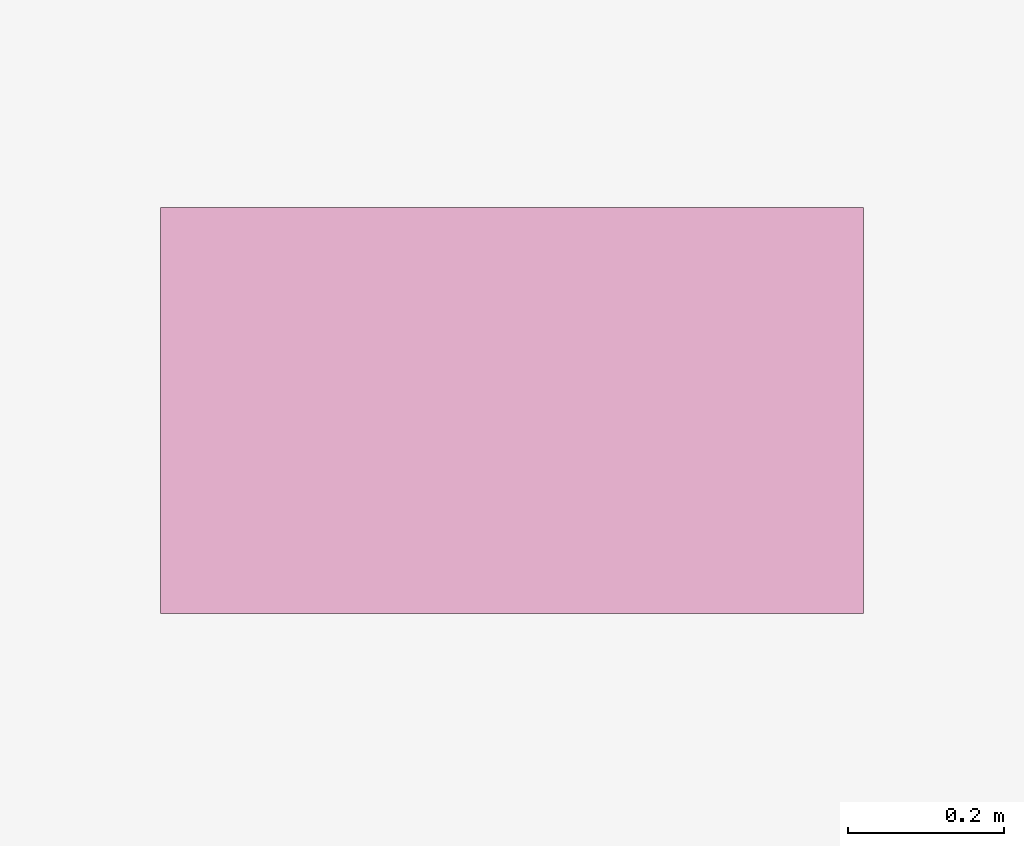
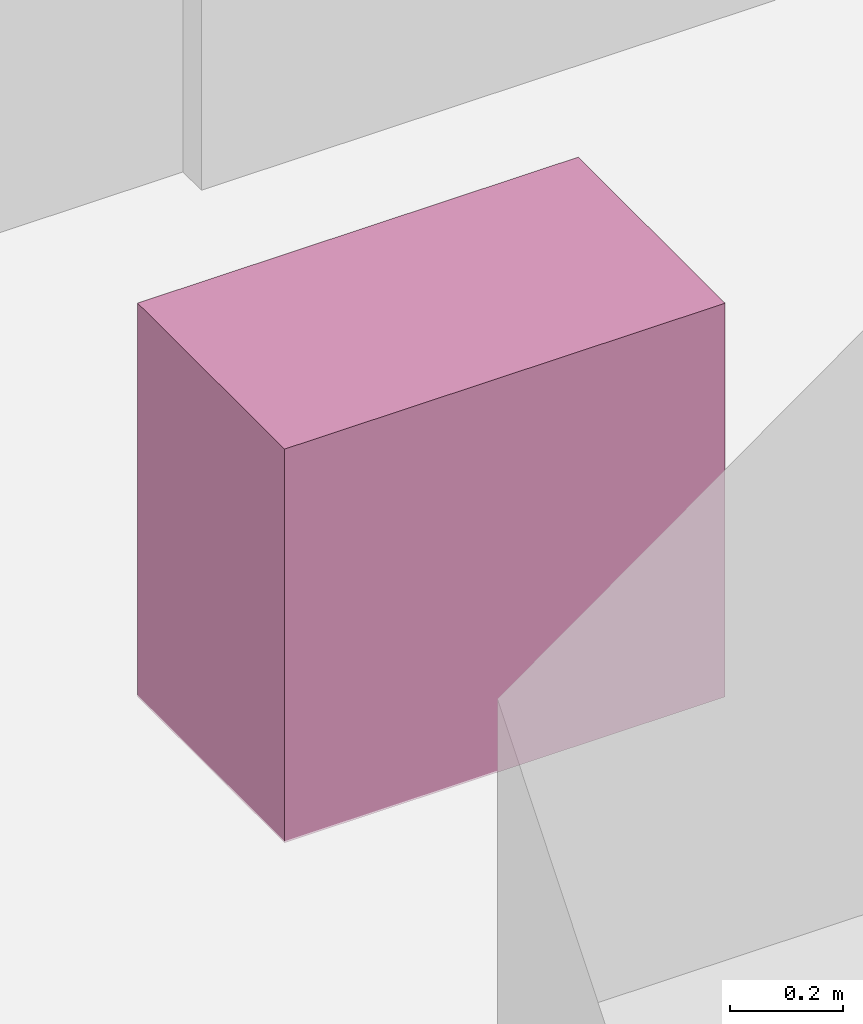
# One storey, part 30 of 30: 1 furnishing.
"""IFC4 building model written with IfcOpenShell, lengths in metres."""

from ifc_helpers import new_model, si_unit, direction, frame, origin, origin_2d, place, context, subcontext, project, spatial, rectangle, extrude, material, type_object, element, save


model = new_model("IFC4")

# Units and contexts
model_context = context("Model", 3, precision=1e-05, world=origin(), true_north=direction((0.0, 1.0)))
body_context = subcontext(model_context, "Body", "Model", "MODEL_VIEW")
ifc_project = project(units=[si_unit("LENGTHUNIT", "METRE"), si_unit("AREAUNIT", "SQUARE_METRE"), si_unit("VOLUMEUNIT", "CUBIC_METRE"), si_unit("PLANEANGLEUNIT", "RADIAN"), si_unit("MASSUNIT", "GRAM", prefix="KILO")], contexts=[model_context])

# Site, building, storey
site_placement = place(None, origin())
site = spatial("IfcSite", under=ifc_project, at=site_placement, CompositionType="ELEMENT")
building_placement = place(site_placement, origin())
building = spatial("IfcBuilding", under=site, at=building_placement, Name="Vorneva Point Tower", CompositionType="ELEMENT")
storey_placement = place(building_placement, frame((0.0, 0.0, 153.60009765625)))
storey = spatial("IfcBuildingStorey", under=building, at=storey_placement, Name="L41", CompositionType="ELEMENT", Elevation=153.60009765625)

# Furnishing
ifc_material = material(Name="Vitreous china and granite top", Category="masonry")
furniture_type = type_object("IfcFurnitureType", Name="FUR-VAN-900", AssemblyPlace="NOTDEFINED", PredefinedType="NOTDEFINED", material=ifc_material)
furnishing_placement = place(storey_placement, frame((35.425048828125, 32.1201171875, -0.005126953125), z_axis=(0.0, 0.0, 1.0), x_axis=(1.0, 0.0, 0.0)))
element("IfcFurnishingElement", 1, at=furnishing_placement, inside=storey, type_object=furniture_type, Name="L41 Accessible WC Vanity Unit", ObjectType="L41 Accessible WC Vanity Unit", context=body_context, shape_type="SweptSolid", body=[
    extrude(rectangle(XDim=0.89990234375, YDim=0.52001953125, at=origin_2d()), origin(), (0.0, 0.0, 1.0), 0.85009765625),
])

save(model, "model.ifc")
